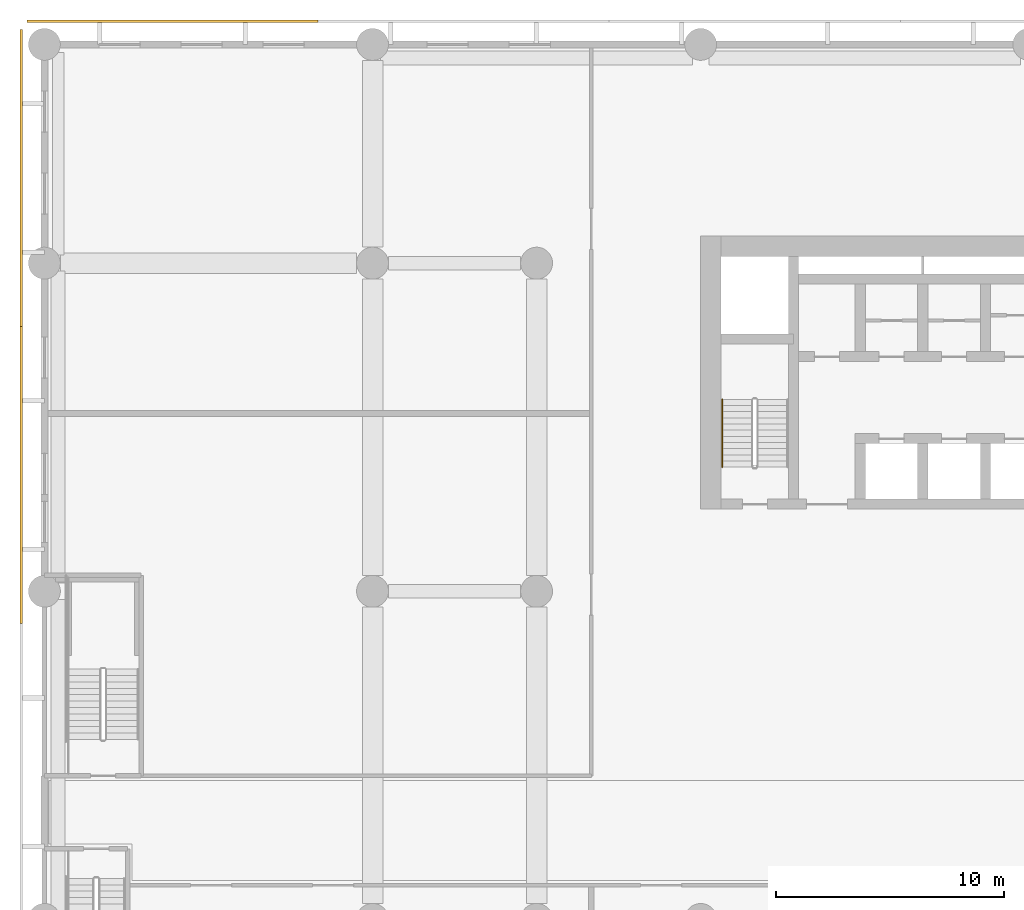
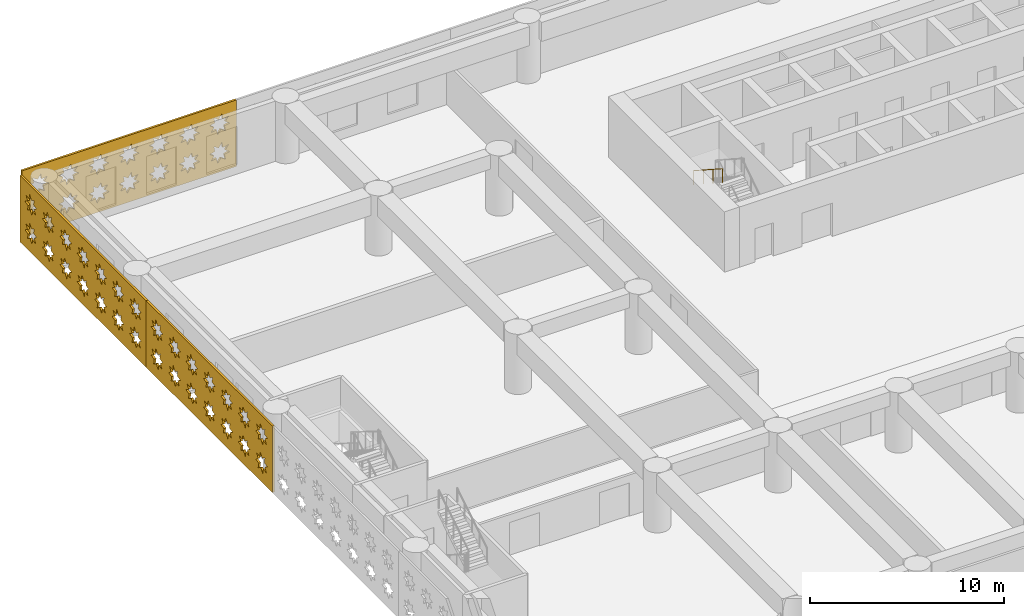
# One storey, part 19 of 24: 3 coverings, 1 railing.
"""IFC4 building model written with IfcOpenShell, lengths in metres."""

import ifcopenshell
import ifcopenshell.guid

model = None  # the IFC model being written
_history = None  # IfcOwnerHistory: only IFC2X3 demands one
_inside = {}  # id of a spatial element -> (the spatial element, [elements in it])
_under = {}  # id of a project, library or spatial element -> (it, [spatial elements below it])
_declared = {}  # id of a project -> (the project, [libraries it declares])
_typed = {}  # id of a type object -> (the type object, [elements of that type])
_made_of = {}  # id of a material, layer set ... -> (it, [elements and type objects made of it])


def new_model(schema):
    """Start an empty IFC model of exactly this schema.

    Asked for "IFC4X3", IfcOpenShell would pick the latest addendum, in which some entities
    have other attributes; the version numbers below select the first issue.
    IFC2X3 requires an IfcOwnerHistory on every rooted entity: one is made here for all.
    """
    global model, _history
    if schema == "IFC4X3":
        model = ifcopenshell.file(schema_version=(4, 3, 0, 0))
    else:
        model = ifcopenshell.file(schema=schema)
    _inside.clear()
    _under.clear()
    _declared.clear()
    _typed.clear()
    _made_of.clear()
    _history = None
    if model.schema == "IFC2X3":
        org = make("IfcOrganization", Name="unknown")
        user = make(
            "IfcPersonAndOrganization",
            ThePerson=make("IfcPerson", FamilyName="unknown"),
            TheOrganization=org,
        )
        app = make(
            "IfcApplication",
            ApplicationDeveloper=org,
            Version="unknown",
            ApplicationFullName="unknown",
            ApplicationIdentifier="unknown",
        )
        _history = make(
            "IfcOwnerHistory",
            OwningUser=user,
            OwningApplication=app,
            ChangeAction="ADDED",
            CreationDate=0,
        )
    return model


def make(cls, **values):
    """One entity of the class cls with the attributes given. An attribute that is None is left unset."""
    return model.create_entity(
        cls, **{name: value for name, value in values.items() if value is not None}
    )


def rooted(cls, **values):
    """An entity with a GlobalId (a new one), such as an element, a storey or a relation."""
    return make(cls, GlobalId=ifcopenshell.guid.new(), OwnerHistory=_history, **values)


def si_unit(unit_type, name, prefix=None):
    """IfcSIUnit, for example si_unit("LENGTHUNIT", "METRE", prefix="MILLI")."""
    return make("IfcSIUnit", UnitType=unit_type, Prefix=prefix, Name=name)


def assignment(units):
    """IfcUnitAssignment: the units of a project."""
    return None if units is None else make("IfcUnitAssignment", Units=units)


def point(xyz):
    """IfcCartesianPoint."""
    return None if xyz is None else make("IfcCartesianPoint", Coordinates=xyz)


def direction(xyz):
    """IfcDirection."""
    return None if xyz is None else make("IfcDirection", DirectionRatios=xyz)


def frame(location, z_axis=None, x_axis=None):
    """IfcAxis2Placement3D, a coordinate frame: its origin and axes. An axis left out is left unset."""
    return make(
        "IfcAxis2Placement3D",
        Location=point(location),
        Axis=direction(z_axis),
        RefDirection=direction(x_axis),
    )


def frame_2d(location, x_axis=None):
    """IfcAxis2Placement2D, a coordinate frame in the plane: its origin and x axis."""
    return make(
        "IfcAxis2Placement2D", Location=point(location), RefDirection=direction(x_axis)
    )


def origin():
    """The frame at (0, 0, 0) with its axes left unset."""
    return frame((0.0, 0.0, 0.0))


def origin_2d():
    """The frame at (0, 0) in the plane with its x axis left unset."""
    return frame_2d((0.0, 0.0))


def place(relative_to, where):
    """IfcLocalPlacement: puts the frame where relative to a parent placement (None: the world)."""
    return make(
        "IfcLocalPlacement", PlacementRelTo=relative_to, RelativePlacement=where
    )


def context(
    kind, dimensions, precision=None, world=None, true_north=None, identifier=None
):
    """IfcGeometricRepresentationContext, for example the 3D "Model" context."""
    return make(
        "IfcGeometricRepresentationContext",
        ContextIdentifier=identifier,
        ContextType=kind,
        CoordinateSpaceDimension=dimensions,
        Precision=precision,
        WorldCoordinateSystem=world,
        TrueNorth=true_north,
    )


def subcontext(parent, identifier, kind, view, scale=None):
    """IfcGeometricRepresentationSubContext, for example "Body" below "Model"."""
    return make(
        "IfcGeometricRepresentationSubContext",
        ContextIdentifier=identifier,
        ContextType=kind,
        ParentContext=parent,
        TargetScale=scale,
        TargetView=view,
    )


def project(units=None, contexts=None):
    """IfcProject with its units and contexts."""
    return rooted(
        "IfcProject",
        Name="project",
        RepresentationContexts=contexts,
        UnitsInContext=assignment(units),
    )


def spatial(cls, under=None, at=None, **own):
    """A site, building, storey or space (cls), placed at a placement, below another one or the project."""
    s = rooted(cls, ObjectPlacement=at, **own)
    if under is not None:
        _under.setdefault(under.id(), (under, []))[1].append(s)
    return s


def polyline(points):
    """IfcPolyline through the points."""
    return make("IfcPolyline", Points=[point(p) for p in points])


def profile(cls, at=None, kind="AREA", **sizes):
    """A parametric profile (cls). Its sizes go by their IFC names, for example OverallWidth=200.0."""
    return make(cls, ProfileType=kind, Position=at, **sizes)


def circle(**sizes):
    """IfcCircleProfileDef."""
    return profile("IfcCircleProfileDef", **sizes)


def outline(outer, holes=None, kind="AREA"):
    """IfcArbitraryClosedProfileDef: a profile drawn as a closed curve; with holes, ...WithVoids."""
    if holes is None:
        return make("IfcArbitraryClosedProfileDef", ProfileType=kind, OuterCurve=outer)
    return make(
        "IfcArbitraryProfileDefWithVoids",
        ProfileType=kind,
        OuterCurve=outer,
        InnerCurves=holes,
    )


def extrude(swept, where, along, depth):
    """IfcExtrudedAreaSolid: the profile swept, set in the frame where, extruded along a direction by depth."""
    return make(
        "IfcExtrudedAreaSolid",
        SweptArea=swept,
        Position=where,
        ExtrudedDirection=direction(along),
        Depth=depth,
    )


def shape(context_of_items, identifier, shape_type, items):
    """IfcShapeRepresentation: the items that make up one representation, for example the "Body"."""
    return make(
        "IfcShapeRepresentation",
        ContextOfItems=context_of_items,
        RepresentationIdentifier=identifier,
        RepresentationType=shape_type,
        Items=items,
    )


def material(Name=None, Category=None):
    """IfcMaterial."""
    return make("IfcMaterial", Name=Name, Category=Category)


def layer(
    of_material, thickness, ventilated=None, Name=None, Category=None, Priority=None
):
    """IfcMaterialLayer: one layer of a wall or slab, of a material (None: an air gap)."""
    return make(
        "IfcMaterialLayer",
        Material=of_material,
        LayerThickness=thickness,
        IsVentilated=ventilated,
        Name=Name,
        Category=Category,
        Priority=Priority,
    )


def layer_set(layers, Name=None):
    """IfcMaterialLayerSet."""
    return make("IfcMaterialLayerSet", MaterialLayers=layers, LayerSetName=Name)


def made_of(thing, what):
    """Note that an element or type object is made of a material, layer set ...; save() writes the relation."""
    if what is not None:
        _made_of.setdefault(what.id(), (what, []))[1].append(thing)
    return thing


def type_object(cls, material=None, **own):
    """A type object (cls), such as IfcWallType, which elements share."""
    return made_of(rooted(cls, **own), material)


def element(
    cls,
    number,
    at=None,
    inside=None,
    cuts=None,
    type_object=None,
    material=None,
    context=None,
    identifier="Body",
    shape_type=None,
    held_by="IfcProductDefinitionShape",
    body=None,
    shapes=None,
    **own,
):
    """One element of the class cls, such as IfcWall. Its Tag is "e" and its number.

    at: its placement. inside: the storey or other place that contains it. cuts: it is an
    opening in that element (IfcRelVoidsElement). A single representation is given by context,
    identifier, shape_type and body (its items); several are given by shapes. held_by: the class
    of the entity that holds the representations. save() writes the other relations.
    """
    e = rooted(cls, Tag="e%d" % number, ObjectPlacement=at, **own)
    if body is not None:
        shapes = [shape(context, identifier, shape_type, body)]
    if shapes is not None:
        e.Representation = make(held_by, Representations=shapes)
    if inside is not None:
        _inside.setdefault(inside.id(), (inside, []))[1].append(e)
    if cuts is not None:
        rooted(
            "IfcRelVoidsElement", RelatingBuildingElement=cuts, RelatedOpeningElement=e
        )
    if type_object is not None:
        _typed.setdefault(type_object.id(), (type_object, []))[1].append(e)
    return made_of(e, material)


def aggregate(whole, parts):
    """IfcRelAggregates: a whole, such as a stair, and the parts it consists of."""
    return rooted("IfcRelAggregates", RelatingObject=whole, RelatedObjects=parts)


def save(model, path):
    """Write the relations noted so far, then the file.

    IfcRelAggregates (storeys below a building ...), IfcRelContainedInSpatialStructure (elements
    in a storey), IfcRelDefinesByType, IfcRelAssociatesMaterial and IfcRelDeclares: one each for
    every whole, place, type object, material and project.
    """
    for whole, parts in _under.values():
        aggregate(whole, parts)
    for where, things in _inside.values():
        rooted(
            "IfcRelContainedInSpatialStructure",
            RelatedElements=things,
            RelatingStructure=where,
        )
    for kind, things in _typed.values():
        rooted("IfcRelDefinesByType", RelatedObjects=things, RelatingType=kind)
    for what, things in _made_of.values():
        rooted("IfcRelAssociatesMaterial", RelatedObjects=things, RelatingMaterial=what)
    for by, libraries in _declared.values():
        rooted("IfcRelDeclares", RelatingContext=by, RelatedDefinitions=libraries)
    model.write(path)


model = new_model("IFC4")

# Units and contexts
model_context = context("Model", 3, precision=1e-05, world=origin(), true_north=direction((0.0, 1.0)))
body_context = subcontext(model_context, "Body", "Model", "MODEL_VIEW")
ifc_project = project(units=[si_unit("LENGTHUNIT", "METRE"), si_unit("AREAUNIT", "SQUARE_METRE"), si_unit("VOLUMEUNIT", "CUBIC_METRE"), si_unit("PLANEANGLEUNIT", "RADIAN"), si_unit("MASSUNIT", "GRAM", prefix="KILO")], contexts=[model_context])

# Site, building, storey
site_placement = place(None, origin())
site = spatial("IfcSite", under=ifc_project, at=site_placement, CompositionType="ELEMENT")
building_placement = place(site_placement, origin())
building = spatial("IfcBuilding", under=site, at=building_placement, Name="Saffron Iwan Residences", CompositionType="ELEMENT")
storey_placement = place(building_placement, frame((0.0, 0.0, 13.199951171875)))
storey = spatial("IfcBuildingStorey", under=building, at=storey_placement, Name="L02", CompositionType="ELEMENT", Elevation=13.199951171875)

# Coverings
ifc_material_1 = material(Name="Terracotta screen, precast concrete C40/50", Category="masonry")
ifc_layer = layer(ifc_material_1, 0.1201171875)
ifc_layer_set = layer_set([ifc_layer], Name="Terracotta screen, precast concrete C40/50")
covering_type = type_object("IfcCoveringType", Name="PODIUM SCREEN GIRIH", PredefinedType="CLADDING", material=ifc_layer_set)
covering_1_placement = place(storey_placement, frame((12.007568359375, 87.35009765625, -0.39990234375), z_axis=(0.0, 1.0, 0.0), x_axis=(-1.0, 0.0, 0.0)))
element("IfcCovering", 1, at=covering_1_placement, inside=storey, type_object=covering_type, Name="SCREEN girih terracotta L02 F2.7", PredefinedType="CLADDING", context=body_context, shape_type="SweptSolid", body=[
    extrude(outline(polyline([(0.0, 0.0), (12.777587890625, 0.0), (12.777587890625, 4.199951171875), (0.0, 4.199951171875), (0.0, 0.0)]), holes=[polyline([(1.5966796875, 1.321044921875), (1.271484375, 1.388916015625), (1.333251953125, 1.715576171875), (1.05517578125, 1.533447265625), (0.867919921875, 1.80810546875), (0.7998046875, 1.482666015625), (0.47314453125, 1.54443359375), (0.6552734375, 1.266357421875), (0.380615234375, 1.0791015625), (0.7060546875, 1.010986328125), (0.644287109375, 0.6845703125), (0.92236328125, 0.866455078125), (1.109619140625, 0.591796875), (1.177490234375, 0.917236328125), (1.50439453125, 0.85546875), (1.322265625, 1.1337890625), (1.5966796875, 1.321044921875)]), polyline([(1.5966796875, 3.12109375), (1.271484375, 3.18896484375), (1.333251953125, 3.515380859375), (1.05517578125, 3.33349609375), (0.867919921875, 3.608154296875), (0.7998046875, 3.28271484375), (0.47314453125, 3.344482421875), (0.6552734375, 3.06640625), (0.380615234375, 2.87890625), (0.7060546875, 2.81103515625), (0.644287109375, 2.484619140625), (0.92236328125, 2.66650390625), (1.109619140625, 2.391845703125), (1.177490234375, 2.71728515625), (1.50439453125, 2.655517578125), (1.322265625, 2.93359375), (1.5966796875, 3.12109375)]), polyline([(3.396728515625, 1.321044921875), (3.0712890625, 1.388916015625), (3.13330078125, 1.715576171875), (2.85498046875, 1.533447265625), (2.667724609375, 1.80810546875), (2.599853515625, 1.482666015625), (2.273193359375, 1.54443359375), (2.455322265625, 1.266357421875), (2.1806640625, 1.0791015625), (2.506103515625, 1.010986328125), (2.4443359375, 0.6845703125), (2.722412109375, 0.866455078125), (2.90966796875, 0.591796875), (2.9775390625, 0.917236328125), (3.30419921875, 0.85546875), (3.122314453125, 1.1337890625), (3.396728515625, 1.321044921875)]), polyline([(3.396728515625, 3.12109375), (3.0712890625, 3.18896484375), (3.13330078125, 3.515380859375), (2.85498046875, 3.33349609375), (2.667724609375, 3.608154296875), (2.599853515625, 3.28271484375), (2.273193359375, 3.344482421875), (2.455322265625, 3.06640625), (2.1806640625, 2.87890625), (2.506103515625, 2.81103515625), (2.4443359375, 2.484619140625), (2.722412109375, 2.66650390625), (2.90966796875, 2.391845703125), (2.9775390625, 2.71728515625), (3.30419921875, 2.655517578125), (3.122314453125, 2.93359375), (3.396728515625, 3.12109375)]), polyline([(5.19677734375, 1.321044921875), (4.871337890625, 1.388916015625), (4.93310546875, 1.715576171875), (4.655029296875, 1.533447265625), (4.4677734375, 1.80810546875), (4.39990234375, 1.482666015625), (4.0732421875, 1.54443359375), (4.25537109375, 1.266357421875), (3.980712890625, 1.0791015625), (4.30615234375, 1.010986328125), (4.244384765625, 0.6845703125), (4.5224609375, 0.866455078125), (4.709716796875, 0.591796875), (4.777587890625, 0.917236328125), (5.104248046875, 0.85546875), (4.922119140625, 1.1337890625), (5.19677734375, 1.321044921875)]), polyline([(5.19677734375, 3.12109375), (4.871337890625, 3.18896484375), (4.93310546875, 3.515380859375), (4.655029296875, 3.33349609375), (4.4677734375, 3.608154296875), (4.39990234375, 3.28271484375), (4.0732421875, 3.344482421875), (4.25537109375, 3.06640625), (3.980712890625, 2.87890625), (4.30615234375, 2.81103515625), (4.244384765625, 2.484619140625), (4.5224609375, 2.66650390625), (4.709716796875, 2.391845703125), (4.777587890625, 2.71728515625), (5.104248046875, 2.655517578125), (4.922119140625, 2.93359375), (5.19677734375, 3.12109375)]), polyline([(6.996826171875, 1.321044921875), (6.67138671875, 1.388916015625), (6.733154296875, 1.715576171875), (6.455078125, 1.533447265625), (6.267822265625, 1.80810546875), (6.199951171875, 1.482666015625), (5.873291015625, 1.54443359375), (6.055419921875, 1.266357421875), (5.78076171875, 1.0791015625), (6.106201171875, 1.010986328125), (6.044189453125, 0.6845703125), (6.322509765625, 0.866455078125), (6.509765625, 0.591796875), (6.57763671875, 0.917236328125), (6.904296875, 0.85546875), (6.72216796875, 1.1337890625), (6.996826171875, 1.321044921875)]), polyline([(6.996826171875, 3.12109375), (6.67138671875, 3.18896484375), (6.733154296875, 3.515380859375), (6.455078125, 3.33349609375), (6.267822265625, 3.608154296875), (6.199951171875, 3.28271484375), (5.873291015625, 3.344482421875), (6.055419921875, 3.06640625), (5.78076171875, 2.87890625), (6.106201171875, 2.81103515625), (6.044189453125, 2.484619140625), (6.322509765625, 2.66650390625), (6.509765625, 2.391845703125), (6.57763671875, 2.71728515625), (6.904296875, 2.655517578125), (6.72216796875, 2.93359375), (6.996826171875, 3.12109375)]), polyline([(8.796875, 1.321044921875), (8.471435546875, 1.388916015625), (8.533203125, 1.715576171875), (8.255126953125, 1.533447265625), (8.06787109375, 1.80810546875), (8.0, 1.482666015625), (7.673095703125, 1.54443359375), (7.855224609375, 1.266357421875), (7.580810546875, 1.0791015625), (7.906005859375, 1.010986328125), (7.84423828125, 0.6845703125), (8.122314453125, 0.866455078125), (8.309814453125, 0.591796875), (8.377685546875, 0.917236328125), (8.704345703125, 0.85546875), (8.522216796875, 1.1337890625), (8.796875, 1.321044921875)]), polyline([(8.796875, 3.12109375), (8.471435546875, 3.18896484375), (8.533203125, 3.515380859375), (8.255126953125, 3.33349609375), (8.06787109375, 3.608154296875), (8.0, 3.28271484375), (7.673095703125, 3.344482421875), (7.855224609375, 3.06640625), (7.580810546875, 2.87890625), (7.906005859375, 2.81103515625), (7.84423828125, 2.484619140625), (8.122314453125, 2.66650390625), (8.309814453125, 2.391845703125), (8.377685546875, 2.71728515625), (8.704345703125, 2.655517578125), (8.522216796875, 2.93359375), (8.796875, 3.12109375)]), polyline([(10.5966796875, 1.321044921875), (10.271484375, 1.388916015625), (10.333251953125, 1.715576171875), (10.05517578125, 1.533447265625), (9.867919921875, 1.80810546875), (9.7998046875, 1.482666015625), (9.47314453125, 1.54443359375), (9.6552734375, 1.266357421875), (9.380615234375, 1.0791015625), (9.7060546875, 1.010986328125), (9.644287109375, 0.6845703125), (9.92236328125, 0.866455078125), (10.109619140625, 0.591796875), (10.177490234375, 0.917236328125), (10.50439453125, 0.85546875), (10.322265625, 1.1337890625), (10.5966796875, 1.321044921875)]), polyline([(10.5966796875, 3.12109375), (10.271484375, 3.18896484375), (10.333251953125, 3.515380859375), (10.05517578125, 3.33349609375), (9.867919921875, 3.608154296875), (9.7998046875, 3.28271484375), (9.47314453125, 3.344482421875), (9.6552734375, 3.06640625), (9.380615234375, 2.87890625), (9.7060546875, 2.81103515625), (9.644287109375, 2.484619140625), (9.92236328125, 2.66650390625), (10.109619140625, 2.391845703125), (10.177490234375, 2.71728515625), (10.50439453125, 2.655517578125), (10.322265625, 2.93359375), (10.5966796875, 3.12109375)]), polyline([(12.396728515625, 1.321044921875), (12.0712890625, 1.388916015625), (12.13330078125, 1.715576171875), (11.85498046875, 1.533447265625), (11.667724609375, 1.80810546875), (11.599853515625, 1.482666015625), (11.273193359375, 1.54443359375), (11.455322265625, 1.266357421875), (11.1806640625, 1.0791015625), (11.506103515625, 1.010986328125), (11.4443359375, 0.6845703125), (11.722412109375, 0.866455078125), (11.90966796875, 0.591796875), (11.9775390625, 0.917236328125), (12.30419921875, 0.85546875), (12.122314453125, 1.1337890625), (12.396728515625, 1.321044921875)]), polyline([(12.396728515625, 3.12109375), (12.0712890625, 3.18896484375), (12.13330078125, 3.515380859375), (11.85498046875, 3.33349609375), (11.667724609375, 3.608154296875), (11.599853515625, 3.28271484375), (11.273193359375, 3.344482421875), (11.455322265625, 3.06640625), (11.1806640625, 2.87890625), (11.506103515625, 2.81103515625), (11.4443359375, 2.484619140625), (11.722412109375, 2.66650390625), (11.90966796875, 2.391845703125), (11.9775390625, 2.71728515625), (12.30419921875, 2.655517578125), (12.122314453125, 2.93359375), (12.396728515625, 3.12109375)])]), origin(), (0.0, 0.0, 1.0), 0.119873046875),
])
covering_2_placement = place(storey_placement, frame((-0.949951171875, 87.050048828125, -0.39990234375), z_axis=(-1.0, 0.0, 0.0), x_axis=(0.0, -1.0, 0.0)))
element("IfcCovering", 2, at=covering_2_placement, inside=storey, type_object=covering_type, Name="SCREEN girih terracotta L02 F3.0", PredefinedType="CLADDING", context=body_context, shape_type="SweptSolid", body=[
    extrude(outline(polyline([(0.0, 0.0), (13.03662109375, 0.0), (13.03662109375, 4.199951171875), (0.0, 4.199951171875), (0.0, 0.0)]), holes=[polyline([(1.726318359375, 1.321044921875), (1.40087890625, 1.388916015625), (1.462890625, 1.715576171875), (1.184814453125, 1.533447265625), (0.997314453125, 1.80810546875), (0.929443359375, 1.482666015625), (0.602783203125, 1.54443359375), (0.784912109375, 1.266357421875), (0.51025390625, 1.0791015625), (0.835693359375, 1.010986328125), (0.77392578125, 0.6845703125), (1.052001953125, 0.866455078125), (1.2392578125, 0.591796875), (1.30712890625, 0.917236328125), (1.6337890625, 0.85546875), (1.451904296875, 1.1337890625), (1.726318359375, 1.321044921875)]), polyline([(1.726318359375, 3.12109375), (1.40087890625, 3.18896484375), (1.462890625, 3.515380859375), (1.184814453125, 3.33349609375), (0.997314453125, 3.608154296875), (0.929443359375, 3.28271484375), (0.602783203125, 3.344482421875), (0.784912109375, 3.06640625), (0.51025390625, 2.87890625), (0.835693359375, 2.81103515625), (0.77392578125, 2.484619140625), (1.052001953125, 2.66650390625), (1.2392578125, 2.391845703125), (1.30712890625, 2.71728515625), (1.6337890625, 2.655517578125), (1.451904296875, 2.93359375), (1.726318359375, 3.12109375)]), polyline([(3.5263671875, 1.321044921875), (3.200927734375, 1.388916015625), (3.2626953125, 1.715576171875), (2.984619140625, 1.533447265625), (2.79736328125, 1.80810546875), (2.7294921875, 1.482666015625), (2.40283203125, 1.54443359375), (2.5849609375, 1.266357421875), (2.310302734375, 1.0791015625), (2.635498046875, 1.010986328125), (2.573974609375, 0.6845703125), (2.85205078125, 0.866455078125), (3.039306640625, 0.591796875), (3.107177734375, 0.917236328125), (3.433837890625, 0.85546875), (3.251708984375, 1.1337890625), (3.5263671875, 1.321044921875)]), polyline([(3.5263671875, 3.12109375), (3.200927734375, 3.18896484375), (3.2626953125, 3.515380859375), (2.984619140625, 3.33349609375), (2.79736328125, 3.608154296875), (2.7294921875, 3.28271484375), (2.40283203125, 3.344482421875), (2.5849609375, 3.06640625), (2.310302734375, 2.87890625), (2.635498046875, 2.81103515625), (2.573974609375, 2.484619140625), (2.85205078125, 2.66650390625), (3.039306640625, 2.391845703125), (3.107177734375, 2.71728515625), (3.433837890625, 2.655517578125), (3.251708984375, 2.93359375), (3.5263671875, 3.12109375)]), polyline([(5.326416015625, 1.321044921875), (5.0009765625, 1.388916015625), (5.062744140625, 1.715576171875), (4.78466796875, 1.533447265625), (4.597412109375, 1.80810546875), (4.529296875, 1.482666015625), (4.202880859375, 1.54443359375), (4.385009765625, 1.266357421875), (4.110107421875, 1.0791015625), (4.435546875, 1.010986328125), (4.373779296875, 0.6845703125), (4.652099609375, 0.866455078125), (4.83935546875, 0.591796875), (4.9072265625, 0.917236328125), (5.23388671875, 0.85546875), (5.0517578125, 1.1337890625), (5.326416015625, 1.321044921875)]), polyline([(5.326416015625, 3.12109375), (5.0009765625, 3.18896484375), (5.062744140625, 3.515380859375), (4.78466796875, 3.33349609375), (4.597412109375, 3.608154296875), (4.529296875, 3.28271484375), (4.202880859375, 3.344482421875), (4.385009765625, 3.06640625), (4.110107421875, 2.87890625), (4.435546875, 2.81103515625), (4.373779296875, 2.484619140625), (4.652099609375, 2.66650390625), (4.83935546875, 2.391845703125), (4.9072265625, 2.71728515625), (5.23388671875, 2.655517578125), (5.0517578125, 2.93359375), (5.326416015625, 3.12109375)]), polyline([(7.12646484375, 1.321044921875), (6.801025390625, 1.388916015625), (6.86279296875, 1.715576171875), (6.584716796875, 1.533447265625), (6.3974609375, 1.80810546875), (6.329345703125, 1.482666015625), (6.002685546875, 1.54443359375), (6.184814453125, 1.266357421875), (5.91015625, 1.0791015625), (6.235595703125, 1.010986328125), (6.173828125, 0.6845703125), (6.451904296875, 0.866455078125), (6.639404296875, 0.591796875), (6.707275390625, 0.917236328125), (7.03369140625, 0.85546875), (6.851806640625, 1.1337890625), (7.12646484375, 1.321044921875)]), polyline([(7.12646484375, 3.12109375), (6.801025390625, 3.18896484375), (6.86279296875, 3.515380859375), (6.584716796875, 3.33349609375), (6.3974609375, 3.608154296875), (6.329345703125, 3.28271484375), (6.002685546875, 3.344482421875), (6.184814453125, 3.06640625), (5.91015625, 2.87890625), (6.235595703125, 2.81103515625), (6.173828125, 2.484619140625), (6.451904296875, 2.66650390625), (6.639404296875, 2.391845703125), (6.707275390625, 2.71728515625), (7.03369140625, 2.655517578125), (6.851806640625, 2.93359375), (7.12646484375, 3.12109375)]), polyline([(8.926513671875, 1.321044921875), (8.60107421875, 1.388916015625), (8.662841796875, 1.715576171875), (8.384765625, 1.533447265625), (8.197509765625, 1.80810546875), (8.12939453125, 1.482666015625), (7.802734375, 1.54443359375), (7.98486328125, 1.266357421875), (7.710205078125, 1.0791015625), (8.03564453125, 1.010986328125), (7.973876953125, 0.6845703125), (8.251953125, 0.866455078125), (8.439208984375, 0.591796875), (8.507080078125, 0.917236328125), (8.833740234375, 0.85546875), (8.65185546875, 1.1337890625), (8.926513671875, 1.321044921875)]), polyline([(8.926513671875, 3.12109375), (8.60107421875, 3.18896484375), (8.662841796875, 3.515380859375), (8.384765625, 3.33349609375), (8.197509765625, 3.608154296875), (8.12939453125, 3.28271484375), (7.802734375, 3.344482421875), (7.98486328125, 3.06640625), (7.710205078125, 2.87890625), (8.03564453125, 2.81103515625), (7.973876953125, 2.484619140625), (8.251953125, 2.66650390625), (8.439208984375, 2.391845703125), (8.507080078125, 2.71728515625), (8.833740234375, 2.655517578125), (8.65185546875, 2.93359375), (8.926513671875, 3.12109375)]), polyline([(10.726318359375, 1.321044921875), (10.40087890625, 1.388916015625), (10.462890625, 1.715576171875), (10.184814453125, 1.533447265625), (9.997314453125, 1.80810546875), (9.929443359375, 1.482666015625), (9.602783203125, 1.54443359375), (9.784912109375, 1.266357421875), (9.51025390625, 1.0791015625), (9.835693359375, 1.010986328125), (9.77392578125, 0.6845703125), (10.052001953125, 0.866455078125), (10.2392578125, 0.591796875), (10.30712890625, 0.917236328125), (10.6337890625, 0.85546875), (10.451904296875, 1.1337890625), (10.726318359375, 1.321044921875)]), polyline([(10.726318359375, 3.12109375), (10.40087890625, 3.18896484375), (10.462890625, 3.515380859375), (10.184814453125, 3.33349609375), (9.997314453125, 3.608154296875), (9.929443359375, 3.28271484375), (9.602783203125, 3.344482421875), (9.784912109375, 3.06640625), (9.51025390625, 2.87890625), (9.835693359375, 2.81103515625), (9.77392578125, 2.484619140625), (10.052001953125, 2.66650390625), (10.2392578125, 2.391845703125), (10.30712890625, 2.71728515625), (10.6337890625, 2.655517578125), (10.451904296875, 2.93359375), (10.726318359375, 3.12109375)]), polyline([(12.5263671875, 1.321044921875), (12.200927734375, 1.388916015625), (12.2626953125, 1.715576171875), (11.984619140625, 1.533447265625), (11.79736328125, 1.80810546875), (11.7294921875, 1.482666015625), (11.40283203125, 1.54443359375), (11.5849609375, 1.266357421875), (11.310302734375, 1.0791015625), (11.635498046875, 1.010986328125), (11.573974609375, 0.6845703125), (11.85205078125, 0.866455078125), (12.039306640625, 0.591796875), (12.107177734375, 0.917236328125), (12.433837890625, 0.85546875), (12.251708984375, 1.1337890625), (12.5263671875, 1.321044921875)]), polyline([(12.5263671875, 3.12109375), (12.200927734375, 3.18896484375), (12.2626953125, 3.515380859375), (11.984619140625, 3.33349609375), (11.79736328125, 3.608154296875), (11.7294921875, 3.28271484375), (11.40283203125, 3.344482421875), (11.5849609375, 3.06640625), (11.310302734375, 2.87890625), (11.635498046875, 2.81103515625), (11.573974609375, 2.484619140625), (11.85205078125, 2.66650390625), (12.039306640625, 2.391845703125), (12.107177734375, 2.71728515625), (12.433837890625, 2.655517578125), (12.251708984375, 2.93359375), (12.5263671875, 3.12109375)])]), origin(), (0.0, 0.0, 1.0), 0.1201171875),
])
covering_3_placement = place(storey_placement, frame((-0.949951171875, 74.01318359375, -0.39990234375), z_axis=(-1.0, 0.0, 0.0), x_axis=(0.0, -1.0, 0.0)))
element("IfcCovering", 3, at=covering_3_placement, inside=storey, type_object=covering_type, Name="SCREEN girih terracotta L02 F3.1", PredefinedType="CLADDING", context=body_context, shape_type="SweptSolid", body=[
    extrude(outline(polyline([(0.0, 0.0), (13.03662109375, 0.0), (13.03662109375, 4.199951171875), (0.0, 4.199951171875), (0.0, 0.0)]), holes=[polyline([(1.726318359375, 1.321044921875), (1.40087890625, 1.388916015625), (1.462890625, 1.715576171875), (1.184814453125, 1.533447265625), (0.997314453125, 1.80810546875), (0.929443359375, 1.482666015625), (0.602783203125, 1.54443359375), (0.784912109375, 1.266357421875), (0.51025390625, 1.0791015625), (0.835693359375, 1.010986328125), (0.77392578125, 0.6845703125), (1.052001953125, 0.866455078125), (1.2392578125, 0.591796875), (1.30712890625, 0.917236328125), (1.6337890625, 0.85546875), (1.451904296875, 1.1337890625), (1.726318359375, 1.321044921875)]), polyline([(1.726318359375, 3.12109375), (1.40087890625, 3.18896484375), (1.462890625, 3.515380859375), (1.184814453125, 3.33349609375), (0.997314453125, 3.608154296875), (0.929443359375, 3.28271484375), (0.602783203125, 3.344482421875), (0.784912109375, 3.06640625), (0.51025390625, 2.87890625), (0.835693359375, 2.81103515625), (0.77392578125, 2.484619140625), (1.052001953125, 2.66650390625), (1.2392578125, 2.391845703125), (1.30712890625, 2.71728515625), (1.6337890625, 2.655517578125), (1.451904296875, 2.93359375), (1.726318359375, 3.12109375)]), polyline([(3.5263671875, 1.321044921875), (3.200927734375, 1.388916015625), (3.2626953125, 1.715576171875), (2.984619140625, 1.533447265625), (2.79736328125, 1.80810546875), (2.7294921875, 1.482666015625), (2.40283203125, 1.54443359375), (2.5849609375, 1.266357421875), (2.310302734375, 1.0791015625), (2.635498046875, 1.010986328125), (2.573974609375, 0.6845703125), (2.85205078125, 0.866455078125), (3.039306640625, 0.591796875), (3.107177734375, 0.917236328125), (3.433837890625, 0.85546875), (3.251708984375, 1.1337890625), (3.5263671875, 1.321044921875)]), polyline([(3.5263671875, 3.12109375), (3.200927734375, 3.18896484375), (3.2626953125, 3.515380859375), (2.984619140625, 3.33349609375), (2.79736328125, 3.608154296875), (2.7294921875, 3.28271484375), (2.40283203125, 3.344482421875), (2.5849609375, 3.06640625), (2.310302734375, 2.87890625), (2.635498046875, 2.81103515625), (2.573974609375, 2.484619140625), (2.85205078125, 2.66650390625), (3.039306640625, 2.391845703125), (3.107177734375, 2.71728515625), (3.433837890625, 2.655517578125), (3.251708984375, 2.93359375), (3.5263671875, 3.12109375)]), polyline([(5.326416015625, 1.321044921875), (5.0009765625, 1.388916015625), (5.062744140625, 1.715576171875), (4.78466796875, 1.533447265625), (4.597412109375, 1.80810546875), (4.529296875, 1.482666015625), (4.202880859375, 1.54443359375), (4.385009765625, 1.266357421875), (4.110107421875, 1.0791015625), (4.435546875, 1.010986328125), (4.373779296875, 0.6845703125), (4.652099609375, 0.866455078125), (4.83935546875, 0.591796875), (4.9072265625, 0.917236328125), (5.23388671875, 0.85546875), (5.0517578125, 1.1337890625), (5.326416015625, 1.321044921875)]), polyline([(5.326416015625, 3.12109375), (5.0009765625, 3.18896484375), (5.062744140625, 3.515380859375), (4.78466796875, 3.33349609375), (4.597412109375, 3.608154296875), (4.529296875, 3.28271484375), (4.202880859375, 3.344482421875), (4.385009765625, 3.06640625), (4.110107421875, 2.87890625), (4.435546875, 2.81103515625), (4.373779296875, 2.484619140625), (4.652099609375, 2.66650390625), (4.83935546875, 2.391845703125), (4.9072265625, 2.71728515625), (5.23388671875, 2.655517578125), (5.0517578125, 2.93359375), (5.326416015625, 3.12109375)]), polyline([(7.12646484375, 1.321044921875), (6.801025390625, 1.388916015625), (6.86279296875, 1.715576171875), (6.584716796875, 1.533447265625), (6.3974609375, 1.80810546875), (6.329345703125, 1.482666015625), (6.002685546875, 1.54443359375), (6.184814453125, 1.266357421875), (5.91015625, 1.0791015625), (6.235595703125, 1.010986328125), (6.173828125, 0.6845703125), (6.451904296875, 0.866455078125), (6.639404296875, 0.591796875), (6.707275390625, 0.917236328125), (7.03369140625, 0.85546875), (6.851806640625, 1.1337890625), (7.12646484375, 1.321044921875)]), polyline([(7.12646484375, 3.12109375), (6.801025390625, 3.18896484375), (6.86279296875, 3.515380859375), (6.584716796875, 3.33349609375), (6.3974609375, 3.608154296875), (6.329345703125, 3.28271484375), (6.002685546875, 3.344482421875), (6.184814453125, 3.06640625), (5.91015625, 2.87890625), (6.235595703125, 2.81103515625), (6.173828125, 2.484619140625), (6.451904296875, 2.66650390625), (6.639404296875, 2.391845703125), (6.707275390625, 2.71728515625), (7.03369140625, 2.655517578125), (6.851806640625, 2.93359375), (7.12646484375, 3.12109375)]), polyline([(8.926513671875, 1.321044921875), (8.60107421875, 1.388916015625), (8.662841796875, 1.715576171875), (8.384765625, 1.533447265625), (8.197509765625, 1.80810546875), (8.12939453125, 1.482666015625), (7.802734375, 1.54443359375), (7.98486328125, 1.266357421875), (7.710205078125, 1.0791015625), (8.03564453125, 1.010986328125), (7.973876953125, 0.6845703125), (8.251953125, 0.866455078125), (8.439208984375, 0.591796875), (8.507080078125, 0.917236328125), (8.833740234375, 0.85546875), (8.65185546875, 1.1337890625), (8.926513671875, 1.321044921875)]), polyline([(8.926513671875, 3.12109375), (8.60107421875, 3.18896484375), (8.662841796875, 3.515380859375), (8.384765625, 3.33349609375), (8.197509765625, 3.608154296875), (8.12939453125, 3.28271484375), (7.802734375, 3.344482421875), (7.98486328125, 3.06640625), (7.710205078125, 2.87890625), (8.03564453125, 2.81103515625), (7.973876953125, 2.484619140625), (8.251953125, 2.66650390625), (8.439208984375, 2.391845703125), (8.507080078125, 2.71728515625), (8.833740234375, 2.655517578125), (8.65185546875, 2.93359375), (8.926513671875, 3.12109375)]), polyline([(10.726318359375, 1.321044921875), (10.40087890625, 1.388916015625), (10.462890625, 1.715576171875), (10.184814453125, 1.533447265625), (9.997314453125, 1.80810546875), (9.929443359375, 1.482666015625), (9.602783203125, 1.54443359375), (9.784912109375, 1.266357421875), (9.51025390625, 1.0791015625), (9.835693359375, 1.010986328125), (9.77392578125, 0.6845703125), (10.052001953125, 0.866455078125), (10.2392578125, 0.591796875), (10.30712890625, 0.917236328125), (10.6337890625, 0.85546875), (10.451904296875, 1.1337890625), (10.726318359375, 1.321044921875)]), polyline([(10.726318359375, 3.12109375), (10.40087890625, 3.18896484375), (10.462890625, 3.515380859375), (10.184814453125, 3.33349609375), (9.997314453125, 3.608154296875), (9.929443359375, 3.28271484375), (9.602783203125, 3.344482421875), (9.784912109375, 3.06640625), (9.51025390625, 2.87890625), (9.835693359375, 2.81103515625), (9.77392578125, 2.484619140625), (10.052001953125, 2.66650390625), (10.2392578125, 2.391845703125), (10.30712890625, 2.71728515625), (10.6337890625, 2.655517578125), (10.451904296875, 2.93359375), (10.726318359375, 3.12109375)]), polyline([(12.5263671875, 1.321044921875), (12.200927734375, 1.388916015625), (12.2626953125, 1.715576171875), (11.984619140625, 1.533447265625), (11.79736328125, 1.80810546875), (11.7294921875, 1.482666015625), (11.40283203125, 1.54443359375), (11.5849609375, 1.266357421875), (11.310302734375, 1.0791015625), (11.635498046875, 1.010986328125), (11.573974609375, 0.6845703125), (11.85205078125, 0.866455078125), (12.039306640625, 0.591796875), (12.107177734375, 0.917236328125), (12.433837890625, 0.85546875), (12.251708984375, 1.1337890625), (12.5263671875, 1.321044921875)]), polyline([(12.5263671875, 3.12109375), (12.200927734375, 3.18896484375), (12.2626953125, 3.515380859375), (11.984619140625, 3.33349609375), (11.79736328125, 3.608154296875), (11.7294921875, 3.28271484375), (11.40283203125, 3.344482421875), (11.5849609375, 3.06640625), (11.310302734375, 2.87890625), (11.635498046875, 2.81103515625), (11.573974609375, 2.484619140625), (11.85205078125, 2.66650390625), (12.039306640625, 2.391845703125), (12.107177734375, 2.71728515625), (12.433837890625, 2.655517578125), (12.251708984375, 2.93359375), (12.5263671875, 3.12109375)])]), origin(), (0.0, 0.0, 1.0), 0.1201171875),
])

# Railing
ifc_material_2 = material(Name="Stainless steel 316", Category="steel")
railing_type = type_object("IfcRailingType", Name="Stair handrail 900", PredefinedType="HANDRAIL", material=ifc_material_2)
railing_placement = place(storey_placement, frame((29.75, 70.820068359375, 2.275146484375)))
element("IfcRailing", 4, at=railing_placement, inside=storey, type_object=railing_type, Name="L02 ST-W stair handrail 2", PredefinedType="HANDRAIL", context=body_context, shape_type="SweptSolid", body=[
    extrude(circle(Radius=0.02392578125, at=origin_2d()), frame((0.0, 0.0, 0.8759765625), z_axis=(0.0, -0.839175724659, 0.543860370999), x_axis=(1.0, 0.0, 0.0)), (0.0, 0.0, 1.0), 3.5390625),
    extrude(circle(Radius=0.02099609375, at=origin_2d()), origin(), (0.0, 0.0, 1.0), 0.851806640625),
    extrude(circle(Radius=0.02099609375, at=origin_2d()), frame((0.0, -0.989990234375, 0.6416015625)), (0.0, 0.0, 1.0), 0.851806640625),
    extrude(circle(Radius=0.02099609375, at=origin_2d()), frame((0.0, -1.97998046875, 1.283203125)), (0.0, 0.0, 1.0), 0.851806640625),
    extrude(circle(Radius=0.02099609375, at=origin_2d()), frame((0.0, -2.969970703125, 1.9248046875)), (0.0, 0.0, 1.0), 0.851806640625),
])

save(model, "model.ifc")
